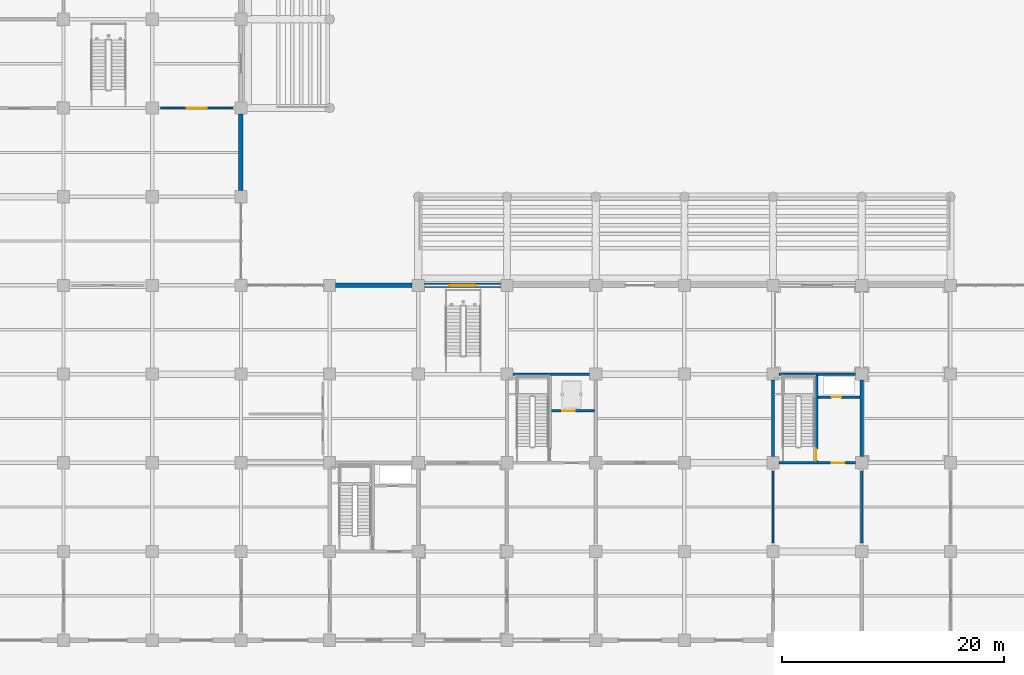
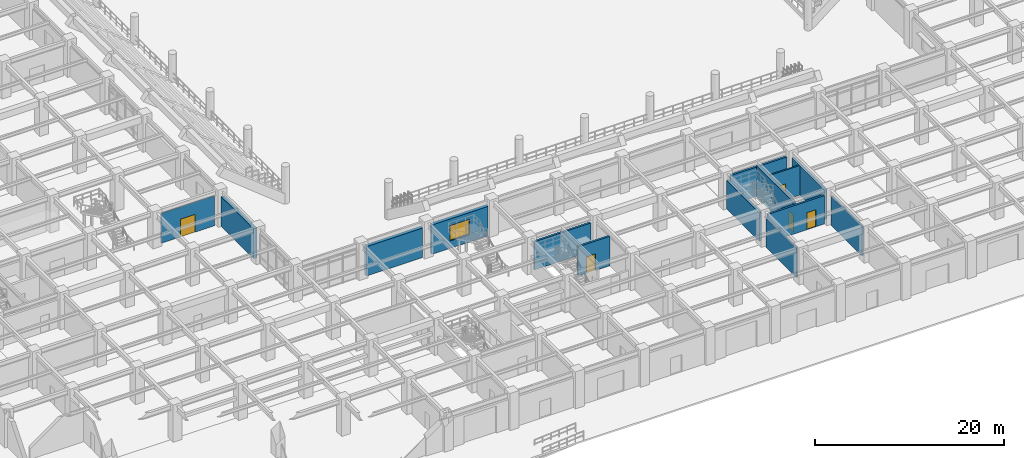
# One storey, part 76 of 125: 14 walls, 5 doors, 1 window, 6 openings.
"""IFC4 building model written with IfcOpenShell, lengths in metres."""

from ifc_helpers import new_model, si_unit, direction, frame, frame_2d, origin, place, context, subcontext, project, spatial, rectangle, extrude, material, layer, layer_set, type_object, element, fill, save


model = new_model("IFC4")

# Units and contexts
model_context = context("Model", 3, precision=1e-05, world=origin(), true_north=direction((0.0, 1.0)))
body_context = subcontext(model_context, "Body", "Model", "MODEL_VIEW")
ifc_project = project(units=[si_unit("LENGTHUNIT", "METRE"), si_unit("AREAUNIT", "SQUARE_METRE"), si_unit("VOLUMEUNIT", "CUBIC_METRE"), si_unit("PLANEANGLEUNIT", "RADIAN"), si_unit("MASSUNIT", "GRAM", prefix="KILO")], contexts=[model_context])

# Site, building, storey
site_placement = place(None, origin())
site = spatial("IfcSite", under=ifc_project, at=site_placement, CompositionType="ELEMENT")
building_placement = place(site_placement, origin())
building = spatial("IfcBuilding", under=site, at=building_placement, Name="Haebicheon Civic Stadium", CompositionType="ELEMENT")
storey_placement = place(building_placement, origin())
storey = spatial("IfcBuildingStorey", under=building, at=storey_placement, Name="L01", CompositionType="ELEMENT", Elevation=0.0)

# Wall
ifc_material_1 = material(Name="Concrete C40/50", Category="concrete")
ifc_layer_1 = layer(ifc_material_1, 0.239990234375, Name="Concrete C40/50")
ifc_layer_set_1 = layer_set([ifc_layer_1], Name="Concrete C40/50")
wall_type_1 = type_object("IfcWallType", Name="CW-SHR-240", PredefinedType="SHEAR", material=ifc_layer_set_1)
wall_1_placement = place(storey_placement, frame((88.550048828125, 24.0, 0.0), z_axis=(0.0, 0.0, 1.0), x_axis=(1.0, 0.0, 0.0)))
element("IfcWall", 1, at=wall_1_placement, inside=storey, type_object=wall_type_1, material=ifc_layer_set_1, Name="KC-06 L01 north core shear wall", PredefinedType="SHEAR", context=body_context, shape_type="SweptSolid", body=[
    extrude(rectangle(XDim=6.89990234375, YDim=0.239990234375, at=frame_2d((3.449951171875, 0.0))), origin(), (0.0, 0.0, 1.0), 3.659912109375),
])

# Wall, opening, door
wall_2_placement = place(storey_placement, frame((92.0, 20.679931640625, 0.0), z_axis=(0.0, 0.0, 1.0), x_axis=(1.0, 0.0, 0.0)))
wall_2 = element("IfcWall", 2, at=wall_2_placement, inside=storey, type_object=wall_type_1, material=ifc_layer_set_1, Name="KC-06 L01 lift shaft front wall", PredefinedType="SHEAR", context=body_context, shape_type="SweptSolid", body=[
    extrude(rectangle(XDim=3.8798828125, YDim=0.239990234375, at=frame_2d((1.93994140625, 0.0))), origin(), (0.0, 0.0, 1.0), 3.81005859375),
])
opening_1_placement = place(wall_2_placement, frame((1.0, 0.0, 0.0)))
opening_1 = element("IfcOpeningElement", 3, at=opening_1_placement, cuts=wall_2, Name="Opening LD-05-L01", PredefinedType="OPENING", context=body_context, shape_type="SweptSolid", body=[
    extrude(rectangle(XDim=1.10009765625, YDim=2.14990234375, at=frame_2d((0.550048828125, 1.074951171875))), frame((0.0, 0.1298828125, 0.0), z_axis=(0.0, -1.0, 0.0), x_axis=(1.0, 0.0, 0.0)), (0.0, 0.0, 1.0), 0.260009765625),
])
ifc_material_2 = material(Name="Stainless steel 316", Category="steel")
door_type_1 = type_object("IfcDoorType", Name="ID-LD-1100", OperationType="NOTDEFINED", PredefinedType="DOOR", material=ifc_material_2)
door_1_placement = place(opening_1_placement, origin())
door_1 = element("IfcDoor", 4, at=door_1_placement, inside=storey, type_object=door_type_1, material=ifc_material_2, Name="LF-05 lift landing sliding door L01", OperationType="SLIDING_TO_LEFT", OverallHeight=2.14990234375, OverallWidth=1.10009765625, PredefinedType="DOOR", context=body_context, shape_type="SweptSolid", body=[
    extrude(rectangle(XDim=1.10009765625, YDim=2.14990234375, at=frame_2d((0.550048828125, 1.074951171875))), frame((0.0, 0.02490234375, 0.0), z_axis=(0.0, -1.0, 0.0), x_axis=(1.0, 0.0, 0.0)), (0.0, 0.0, 1.0), 0.050048828125),
])
fill(opening_1, door_1)

wall_3_placement = place(storey_placement, frame((112.550048828125, 16.0, 0.0), z_axis=(0.0, 0.0, 1.0), x_axis=(1.0, 0.0, 0.0)))
wall_3 = element("IfcWall", 5, at=wall_3_placement, inside=storey, type_object=wall_type_1, material=ifc_layer_set_1, Name="KC-07 L01 south core shear wall", PredefinedType="SHEAR", context=body_context, shape_type="SweptSolid", body=[
    extrude(rectangle(XDim=6.89990234375, YDim=0.239990234375, at=frame_2d((3.449951171875, 0.0))), origin(), (0.0, 0.0, 1.0), 3.659912109375),
])
opening_2_placement = place(wall_3_placement, frame((4.75, 0.0, 0.0)))
opening_2 = element("IfcOpeningElement", 6, at=opening_2_placement, cuts=wall_3, Name="Opening D-L01-KC-07-LOB", PredefinedType="OPENING", context=body_context, shape_type="SweptSolid", body=[
    extrude(rectangle(XDim=1.10009765625, YDim=2.199951171875, at=frame_2d((0.550048828125, 1.10009765625))), frame((0.0, 0.1298828125, 0.0), z_axis=(0.0, -1.0, 0.0), x_axis=(1.0, 0.0, 0.0)), (0.0, 0.0, 1.0), 0.260009765625),
])
ifc_material_3 = material(Name="Galvanised painted steel SM355", Category="steel")
door_type_2 = type_object("IfcDoorType", Name="ID-FD-1100", OperationType="NOTDEFINED", PredefinedType="DOOR", material=ifc_material_3)
door_2_placement = place(opening_2_placement, origin())
door_2 = element("IfcDoor", 7, at=door_2_placement, inside=storey, type_object=door_type_2, material=ifc_material_3, Name="L01 KC-07 lobby fire door", OperationType="SINGLE_SWING_RIGHT", OverallHeight=2.199951171875, OverallWidth=1.10009765625, PredefinedType="DOOR", context=body_context, shape_type="SweptSolid", body=[
    extrude(rectangle(XDim=1.10009765625, YDim=2.199951171875, at=frame_2d((0.550048828125, 1.10009765625))), frame((0.0, 0.02490234375, 0.0), z_axis=(0.0, -1.0, 0.0), x_axis=(1.0, 0.0, 0.0)), (0.0, 0.0, 1.0), 0.050048828125),
])
fill(opening_2, door_2)

# Walls
wall_4_placement = place(storey_placement, frame((112.550048828125, 24.0, 0.0), z_axis=(0.0, 0.0, 1.0), x_axis=(1.0, 0.0, 0.0)))
element("IfcWall", 8, at=wall_4_placement, inside=storey, type_object=wall_type_1, material=ifc_layer_set_1, Name="KC-07 L01 north core shear wall", PredefinedType="SHEAR", context=body_context, shape_type="SweptSolid", body=[
    extrude(rectangle(XDim=6.89990234375, YDim=0.239990234375, at=frame_2d((3.449951171875, 0.0))), origin(), (0.0, 0.0, 1.0), 3.81005859375),
])
ifc_material_4 = material(Name="Concrete C40/50", Category="concrete")
ifc_layer_2 = layer(ifc_material_4, 0.300048828125, Name="Concrete C40/50")
ifc_layer_set_2 = layer_set([ifc_layer_2], Name="Concrete C40/50")
wall_type_2 = type_object("IfcWallType", Name="CW-SHR-300", PredefinedType="SHEAR", material=ifc_layer_set_2)
wall_5_placement = place(storey_placement, frame((112.0, 16.550048828125, 0.0), z_axis=(0.0, 0.0, 1.0), x_axis=(0.0, 1.0, 0.0)))
element("IfcWall", 9, at=wall_5_placement, inside=storey, type_object=wall_type_2, material=ifc_layer_set_2, Name="KC-07 L01 west core shear wall", PredefinedType="SHEAR", context=body_context, shape_type="SweptSolid", body=[
    extrude(rectangle(XDim=6.89990234375, YDim=0.300048828125, at=frame_2d((3.449951171875, 0.0))), origin(), (0.0, 0.0, 1.0), 3.659912109375),
])
wall_6_placement = place(storey_placement, frame((120.0, 16.550048828125, 0.0), z_axis=(0.0, 0.0, 1.0), x_axis=(0.0, 1.0, 0.0)))
element("IfcWall", 10, at=wall_6_placement, inside=storey, type_object=wall_type_2, material=ifc_layer_set_2, Name="KC-07 L01 east core shear wall", PredefinedType="SHEAR", context=body_context, shape_type="SweptSolid", body=[
    extrude(rectangle(XDim=6.89990234375, YDim=0.300048828125, at=frame_2d((3.449951171875, 0.0))), origin(), (0.0, 0.0, 1.0), 3.81005859375),
])

# Wall, opening, door
wall_7_placement = place(storey_placement, frame((115.8798828125, 16.1201171875, 0.0), z_axis=(0.0, 0.0, 1.0), x_axis=(0.0, 1.0, 0.0)))
wall_7 = element("IfcWall", 11, at=wall_7_placement, inside=storey, type_object=wall_type_2, material=ifc_layer_set_2, Name="KC-07 L01 stair-lobby dividing shear wall", PredefinedType="SHEAR", context=body_context, shape_type="SweptSolid", body=[
    extrude(rectangle(XDim=7.759765625, YDim=0.300048828125, at=frame_2d((3.8798828125, 0.0))), origin(), (0.0, 0.0, 1.0), 4.010009765625),
])
opening_3_placement = place(wall_7_placement, frame((0.080078125, 0.0, 0.0)))
opening_3 = element("IfcOpeningElement", 12, at=opening_3_placement, cuts=wall_7, Name="Opening D-L01-KC-07-STR", PredefinedType="OPENING", context=body_context, shape_type="SweptSolid", body=[
    extrude(rectangle(XDim=1.050048828125, YDim=2.14990234375, at=frame_2d((0.52490234375, 1.074951171875))), frame((0.0, 0.159912109375, 0.0), z_axis=(0.0, -1.0, 0.0), x_axis=(1.0, 0.0, 0.0)), (0.0, 0.0, 1.0), 0.320068359375),
])
ifc_material_5 = material(Name="Galvanised painted steel SM355", Category="steel")
door_type_3 = type_object("IfcDoorType", Name="ID-FD-1050", OperationType="NOTDEFINED", PredefinedType="DOOR", material=ifc_material_5)
door_3_placement = place(opening_3_placement, origin())
door_3 = element("IfcDoor", 13, at=door_3_placement, inside=storey, type_object=door_type_3, material=ifc_material_5, Name="L01 ST-07 stairwell escape door", OperationType="SINGLE_SWING_LEFT", OverallHeight=2.14990234375, OverallWidth=1.050048828125, PredefinedType="DOOR", context=body_context, shape_type="SweptSolid", body=[
    extrude(rectangle(XDim=1.050048828125, YDim=2.14990234375, at=frame_2d((0.52490234375, 1.074951171875))), frame((0.0, 0.02490234375, 0.0), z_axis=(0.0, -1.0, 0.0), x_axis=(1.0, 0.0, 0.0)), (0.0, 0.0, 1.0), 0.050048828125),
])
fill(opening_3, door_3)

# Walls
ifc_material_6 = material(Name="Concrete C40/50", Category="concrete")
ifc_layer_3 = layer(ifc_material_6, 0.39990234375, Name="Concrete C40/50")
ifc_layer_set_3 = layer_set([ifc_layer_3], Name="Concrete C40/50")
wall_type_3 = type_object("IfcWallType", Name="EW-BM-400", PredefinedType="SOLIDWALL", material=ifc_layer_set_3)
wall_8_placement = place(storey_placement, frame((64.0, 40.550048828125, 0.0), z_axis=(0.0, 0.0, 1.0), x_axis=(0.0, 1.0, 0.0)))
element("IfcWall", 14, at=wall_8_placement, inside=storey, type_object=wall_type_3, material=ifc_layer_set_3, Name="L01 board-marked concrete facade wall 08-05-E", PredefinedType="SOLIDWALL", context=body_context, shape_type="SweptSolid", body=[
    extrude(rectangle(XDim=6.89990234375, YDim=0.39990234375, at=frame_2d((3.449951171875, 0.0))), origin(), (0.0, 0.0, 1.0), 3.8701171875),
])
wall_9_placement = place(storey_placement, frame((72.550048828125, 32.0, 0.0), z_axis=(0.0, 0.0, 1.0), x_axis=(1.0, 0.0, 0.0)))
element("IfcWall", 15, at=wall_9_placement, inside=storey, type_object=wall_type_3, material=ifc_layer_set_3, Name="L01 board-marked concrete facade wall 09-04-N", PredefinedType="SOLIDWALL", context=body_context, shape_type="SweptSolid", body=[
    extrude(rectangle(XDim=6.89990234375, YDim=0.39990234375, at=frame_2d((3.449951171875, 0.0))), origin(), (0.0, 0.0, 1.0), 3.81005859375),
])

# Wall, opening, window
wall_10_placement = place(storey_placement, frame((80.550048828125, 32.0, 0.0), z_axis=(0.0, 0.0, 1.0), x_axis=(1.0, 0.0, 0.0)))
wall_10 = element("IfcWall", 16, at=wall_10_placement, inside=storey, type_object=wall_type_3, material=ifc_layer_set_3, Name="L01 board-marked concrete facade wall 10-04-N", PredefinedType="SOLIDWALL", context=body_context, shape_type="SweptSolid", body=[
    extrude(rectangle(XDim=6.89990234375, YDim=0.39990234375, at=frame_2d((3.449951171875, 0.0))), origin(), (0.0, 0.0, 1.0), 3.81005859375),
])
opening_4_placement = place(wall_10_placement, frame((2.25, 0.0, 0.949951171875)))
opening_4 = element("IfcOpeningElement", 17, at=opening_4_placement, cuts=wall_10, Name="Opening WIN-240x200", PredefinedType="OPENING", context=body_context, shape_type="SweptSolid", body=[
    extrude(rectangle(XDim=2.39990234375, YDim=2.0, at=frame_2d((1.199951171875, 1.0))), frame((0.0, 0.2099609375, 0.0), z_axis=(0.0, -1.0, 0.0), x_axis=(1.0, 0.0, 0.0)), (0.0, 0.0, 1.0), 0.419921875),
])
ifc_material_7 = material(Name="Anodised aluminium and laminated glass", Category="aluminium")
window_type = type_object("IfcWindowType", Name="WIN-240x200", PartitioningType="SINGLE_PANEL", PredefinedType="WINDOW", material=ifc_material_7)
window_placement = place(opening_4_placement, origin())
window = element("IfcWindow", 18, at=window_placement, inside=storey, type_object=window_type, material=ifc_material_7, Name="L01 facade window 011", OverallHeight=2.0, OverallWidth=2.39990234375, PartitioningType="SINGLE_PANEL", PredefinedType="WINDOW", context=body_context, shape_type="SweptSolid", body=[
    extrude(rectangle(XDim=2.39990234375, YDim=2.0, at=frame_2d((1.199951171875, 1.0))), frame((0.0, 0.030029296875, 0.0), z_axis=(0.0, -1.0, 0.0), x_axis=(1.0, 0.0, 0.0)), (0.0, 0.0, 1.0), 0.06005859375),
])
fill(opening_4, window)

# Wall, opening, door
ifc_material_8 = material(Name="Concrete C35/45", Category="concrete")
ifc_layer_4 = layer(ifc_material_8, 0.199951171875, Name="Concrete C35/45")
ifc_layer_set_4 = layer_set([ifc_layer_4], Name="Concrete C35/45")
wall_type_4 = type_object("IfcWallType", Name="IW-FIR-200", PredefinedType="PARTITIONING", material=ifc_layer_set_4)
wall_11_placement = place(storey_placement, frame((116.030029296875, 21.919921875, 0.0), z_axis=(0.0, 0.0, 1.0), x_axis=(1.0, 0.0, 0.0)))
wall_11 = element("IfcWall", 19, at=wall_11_placement, inside=storey, type_object=wall_type_4, material=ifc_layer_set_4, Name="KC-07 L01 service riser wall", PredefinedType="PARTITIONING", context=body_context, shape_type="SweptSolid", body=[
    extrude(rectangle(XDim=3.820068359375, YDim=0.199951171875, at=frame_2d((1.91015625, 0.0))), origin(), (0.0, 0.0, 1.0), 3.81005859375),
])
opening_5_placement = place(wall_11_placement, frame((1.25, 0.0, 0.0)))
opening_5 = element("IfcOpeningElement", 20, at=opening_5_placement, cuts=wall_11, Name="Opening D-L01-KC-07-RSR", PredefinedType="OPENING", context=body_context, shape_type="SweptSolid", body=[
    extrude(rectangle(XDim=0.85009765625, YDim=2.050048828125, at=frame_2d((0.425048828125, 1.02490234375))), frame((0.0, 0.10986328125, 0.0), z_axis=(0.0, -1.0, 0.0), x_axis=(1.0, 0.0, 0.0)), (0.0, 0.0, 1.0), 0.219970703125),
])
ifc_material_9 = material(Name="Galvanised painted steel SM355", Category="steel")
door_type_4 = type_object("IfcDoorType", Name="ID-RSR-0850", OperationType="NOTDEFINED", PredefinedType="TRAPDOOR", material=ifc_material_9)
door_4_placement = place(opening_5_placement, origin())
door_4 = element("IfcDoor", 21, at=door_4_placement, inside=storey, type_object=door_type_4, material=ifc_material_9, Name="L01 KC-07 riser access door", OperationType="SINGLE_SWING_RIGHT", OverallHeight=2.050048828125, OverallWidth=0.85009765625, PredefinedType="TRAPDOOR", context=body_context, shape_type="SweptSolid", body=[
    extrude(rectangle(XDim=0.85009765625, YDim=2.050048828125, at=frame_2d((0.425048828125, 1.02490234375))), frame((0.0, 0.02490234375, 0.0), z_axis=(0.0, -1.0, 0.0), x_axis=(1.0, 0.0, 0.0)), (0.0, 0.0, 1.0), 0.050048828125),
])
fill(opening_5, door_4)

# Walls
for number, where, z_axis, x_axis, name in (
    (22, (112.0, 8.75, 0.0), (0.0, 0.0, 1.0), (0.0, 1.0, 0.0), "L01 KC-07 protected exit passage EI 120 wall 03"),
    (23, (120.0, 8.75, 0.0), (0.0, 0.0, 1.0), (0.0, 1.0, 0.0), "L01 KC-07 protected exit passage EI 120 wall 04"),
):
    element("IfcWall", number, at=place(storey_placement, frame(where, z_axis=z_axis, x_axis=x_axis)), inside=storey, type_object=wall_type_4, material=ifc_layer_set_4, Name=name, PredefinedType="PARTITIONING", context=body_context, shape_type="SweptSolid", body=[
        extrude(rectangle(XDim=6.5, YDim=0.199951171875, at=frame_2d((3.25, 0.0))), origin(), (0.0, 0.0, 1.0), 3.81005859375),
    ])

# Wall, opening, door
ifc_material_10 = material(Name="Gypsum plasterboard on steel studs", Category="gypsum")
ifc_layer_5 = layer(ifc_material_10, 0.14990234375, Name="Gypsum plasterboard on steel studs")
ifc_layer_set_5 = layer_set([ifc_layer_5], Name="Gypsum plasterboard on steel studs")
wall_type_5 = type_object("IfcWallType", Name="IW-PRT-150", PredefinedType="PARTITIONING", material=ifc_layer_set_5)
wall_12_placement = place(storey_placement, frame((56.75, 48.0, 0.0), z_axis=(0.0, 0.0, 1.0), x_axis=(1.0, 0.0, 0.0)))
wall_12 = element("IfcWall", 24, at=wall_12_placement, inside=storey, type_object=wall_type_5, material=ifc_layer_set_5, Name="L01 VIP Entrance Reception Hall partition wall", PredefinedType="PARTITIONING", context=body_context, shape_type="SweptSolid", body=[
    extrude(rectangle(XDim=6.5, YDim=0.14990234375, at=frame_2d((3.25, 0.0))), origin(), (0.0, 0.0, 1.0), 3.8701171875),
])
opening_6_placement = place(wall_12_placement, frame((2.35009765625, 0.0, 0.0)))
opening_6 = element("IfcOpeningElement", 25, at=opening_6_placement, cuts=wall_12, Name="Opening D-L01-124", PredefinedType="OPENING", context=body_context, shape_type="SweptSolid", body=[
    extrude(rectangle(XDim=1.800048828125, YDim=2.300048828125, at=frame_2d((0.89990234375, 1.14990234375))), frame((0.0, 0.0849609375, 0.0), z_axis=(0.0, -1.0, 0.0), x_axis=(1.0, 0.0, 0.0)), (0.0, 0.0, 1.0), 0.169921875),
])
ifc_material_11 = material(Name="Galvanised painted steel SM355", Category="steel")
door_type_5 = type_object("IfcDoorType", Name="ID-DBL-1800", OperationType="NOTDEFINED", PredefinedType="DOOR", material=ifc_material_11)
door_5_placement = place(opening_6_placement, origin())
door_5 = element("IfcDoor", 26, at=door_5_placement, inside=storey, type_object=door_type_5, material=ifc_material_11, Name="L01 VIP Entrance Reception Hall entrance door D-L01-124", OperationType="DOUBLE_SWING_LEFT", OverallHeight=2.300048828125, OverallWidth=1.800048828125, PredefinedType="DOOR", context=body_context, shape_type="SweptSolid", body=[
    extrude(rectangle(XDim=1.800048828125, YDim=2.300048828125, at=frame_2d((0.89990234375, 1.14990234375))), frame((0.0, 0.02490234375, 0.0), z_axis=(0.0, -1.0, 0.0), x_axis=(1.0, 0.0, 0.0)), (0.0, 0.0, 1.0), 0.050048828125),
])
fill(opening_6, door_5)

save(model, "model.ifc")
